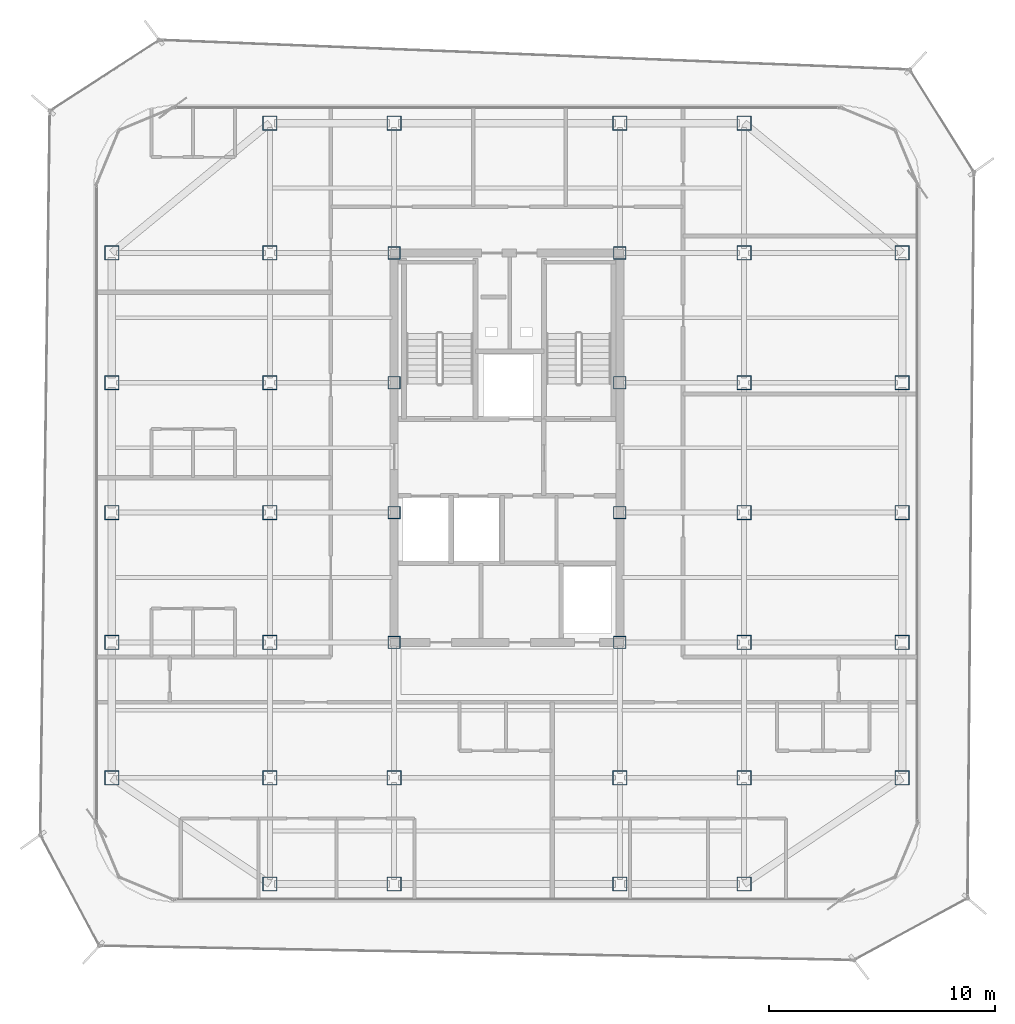
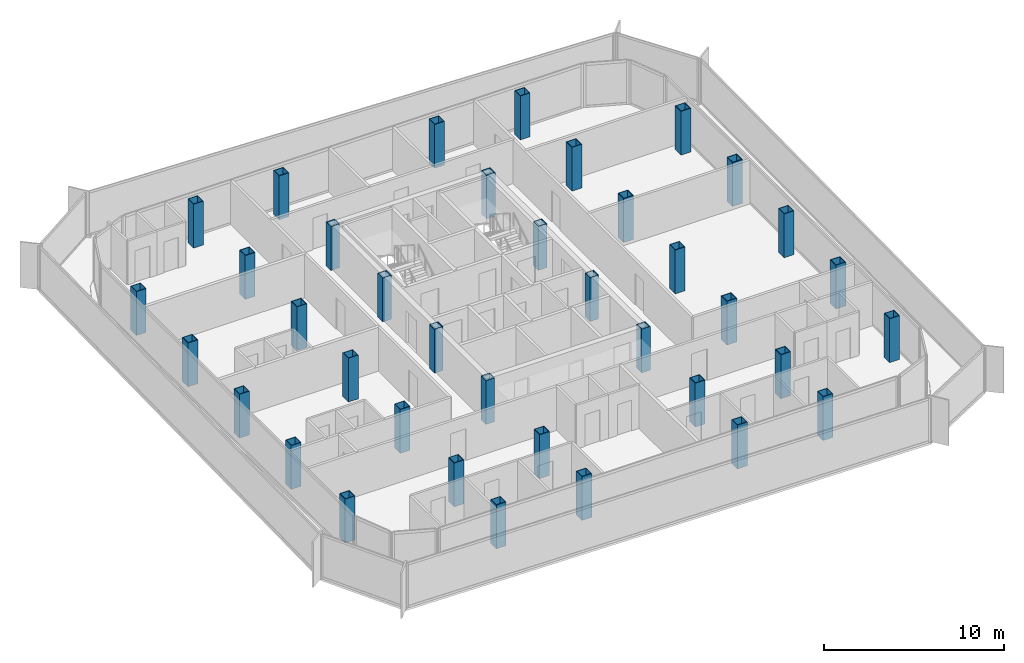
# One storey, part 1 of 15: 38 columns.
"""IFC4 building model written with IfcOpenShell, lengths in metres."""

from ifc_helpers import new_model, si_unit, direction, frame, origin, origin_2d, place, context, subcontext, project, spatial, hollow_rectangle, extrude, source, transform, mapped, material, material_profile, profile_set, type_object, element, save


model = new_model("IFC4")

# Units and contexts
model_context = context("Model", 3, precision=1e-05, world=origin(), true_north=direction((0.0, 1.0)))
body_context = subcontext(model_context, "Body", "Model", "MODEL_VIEW")
ifc_project = project(units=[si_unit("LENGTHUNIT", "METRE"), si_unit("AREAUNIT", "SQUARE_METRE"), si_unit("VOLUMEUNIT", "CUBIC_METRE"), si_unit("PLANEANGLEUNIT", "RADIAN"), si_unit("MASSUNIT", "GRAM", prefix="KILO")], contexts=[model_context])

# Site, building, storey
site_placement = place(None, origin())
site = spatial("IfcSite", under=ifc_project, at=site_placement, CompositionType="ELEMENT")
building_placement = place(site_placement, origin())
building = spatial("IfcBuilding", under=site, at=building_placement, Name="Kolveth Station Tower", CompositionType="ELEMENT")
storey_placement = place(building_placement, frame((0.0, 0.0, 261.699951171875)))
storey = spatial("IfcBuildingStorey", under=building, at=storey_placement, Name="L75", CompositionType="ELEMENT", Elevation=261.699951171875)

# Columns
ifc_material = material(Name="Steel S355", Category="steel")
ifc_material_profile_1 = material_profile(ifc_material, hollow_rectangle(XDim=0.639892578125, YDim=0.639892578125, WallThickness=0.034912109375, at=origin_2d()), Name="BOX640x640x35")
ifc_profile_set_1 = profile_set([ifc_material_profile_1], Name="Steel S355")
column_type_1 = type_object("IfcColumnType", Name="Col_C7", PredefinedType="COLUMN", material=ifc_profile_set_1)
shared_shape_1 = source(origin(), body_context, "Body", "SweptSolid", [
    extrude(hollow_rectangle(XDim=0.639892578125, YDim=0.639892578125, WallThickness=0.034912109375, at=origin_2d()), origin(), (0.0, 0.0, 1.0), 2.97998046875),
])
for number, where, z_axis, x_axis, name in (
    (1, (13.0, 0.800048828125, 0.0), (0.0, 0.0, 1.0), (1.0, 0.0, 0.0), "L75 Tower Column S-X130"),
    (2, (13.0, 34.5, 0.0), (0.0, 0.0, 1.0), (1.0, 0.0, 0.0), "L75 Tower Column N-X130"),
    (3, (18.5, 0.800048828125, 0.0), (0.0, 0.0, 1.0), (1.0, 0.0, 0.0), "L75 Tower Column S-X185"),
    (4, (18.5, 34.5, 0.0), (0.0, 0.0, 1.0), (1.0, 0.0, 0.0), "L75 Tower Column N-X185"),
    (5, (28.5, 0.800048828125, 0.0), (0.0, 0.0, 1.0), (1.0, 0.0, 0.0), "L75 Tower Column S-X285"),
    (6, (28.5, 34.5, 0.0), (0.0, 0.0, 1.0), (1.0, 0.0, 0.0), "L75 Tower Column N-X285"),
    (7, (34.0, 0.800048828125, 0.0), (0.0, 0.0, 1.0), (1.0, 0.0, 0.0), "L75 Tower Column S-X340"),
    (8, (34.0, 34.5, 0.0), (0.0, 0.0, 1.0), (1.0, 0.0, 0.0), "L75 Tower Column N-X340"),
    (9, (6.0, 5.5, 0.0), (0.0, 0.0, 1.0), (1.0, 0.0, 0.0), "L75 Tower Column W-Y55"),
    (10, (41.0, 5.5, 0.0), (0.0, 0.0, 1.0), (1.0, 0.0, 0.0), "L75 Tower Column E-Y55"),
    (11, (6.0, 11.5, 0.0), (0.0, 0.0, 1.0), (1.0, 0.0, 0.0), "L75 Tower Column W-Y115"),
    (12, (41.0, 11.5, 0.0), (0.0, 0.0, 1.0), (1.0, 0.0, 0.0), "L75 Tower Column E-Y115"),
    (13, (6.0, 17.25, 0.0), (0.0, 0.0, 1.0), (1.0, 0.0, 0.0), "L75 Tower Column W-Y172"),
    (14, (41.0, 17.25, 0.0), (0.0, 0.0, 1.0), (1.0, 0.0, 0.0), "L75 Tower Column E-Y172"),
    (15, (6.0, 23.0, 0.0), (0.0, 0.0, 1.0), (1.0, 0.0, 0.0), "L75 Tower Column W-Y230"),
    (16, (41.0, 23.0, 0.0), (0.0, 0.0, 1.0), (1.0, 0.0, 0.0), "L75 Tower Column E-Y230"),
    (17, (6.0, 28.75, 0.0), (0.0, 0.0, 1.0), (1.0, 0.0, 0.0), "L75 Tower Column W-Y287"),
    (18, (41.0, 28.75, 0.0), (0.0, 0.0, 1.0), (1.0, 0.0, 0.0), "L75 Tower Column E-Y287"),
    (19, (13.0, 5.5, 0.0), (0.0, 0.0, 1.0), (1.0, 0.0, 0.0), "L75 Tower Column G-130-55"),
    (20, (13.0, 11.5, 0.0), (0.0, 0.0, 1.0), (1.0, 0.0, 0.0), "L75 Tower Column G-130-115"),
    (21, (13.0, 17.25, 0.0), (0.0, 0.0, 1.0), (1.0, 0.0, 0.0), "L75 Tower Column G-130-172"),
    (22, (13.0, 23.0, 0.0), (0.0, 0.0, 1.0), (1.0, 0.0, 0.0), "L75 Tower Column G-130-230"),
    (23, (13.0, 28.75, 0.0), (0.0, 0.0, 1.0), (1.0, 0.0, 0.0), "L75 Tower Column G-130-287"),
    (24, (18.5, 5.5, 0.0), (0.0, 0.0, 1.0), (1.0, 0.0, 0.0), "L75 Tower Column G-185-55"),
    (25, (28.5, 5.5, 0.0), (0.0, 0.0, 1.0), (1.0, 0.0, 0.0), "L75 Tower Column G-285-55"),
    (26, (34.0, 5.5, 0.0), (0.0, 0.0, 1.0), (1.0, 0.0, 0.0), "L75 Tower Column G-340-55"),
    (27, (34.0, 11.5, 0.0), (0.0, 0.0, 1.0), (1.0, 0.0, 0.0), "L75 Tower Column G-340-115"),
    (28, (34.0, 17.25, 0.0), (0.0, 0.0, 1.0), (1.0, 0.0, 0.0), "L75 Tower Column G-340-172"),
    (29, (34.0, 23.0, 0.0), (0.0, 0.0, 1.0), (1.0, 0.0, 0.0), "L75 Tower Column G-340-230"),
    (30, (34.0, 28.75, 0.0), (0.0, 0.0, 1.0), (1.0, 0.0, 0.0), "L75 Tower Column G-340-287"),
):
    element("IfcColumn", number, at=place(storey_placement, frame(where, z_axis=z_axis, x_axis=x_axis)), inside=storey, type_object=column_type_1, Name=name, PredefinedType="COLUMN", context=body_context, shape_type="MappedRepresentation", body=[
        mapped(shared_shape_1, transform((0.0, 0.0, 0.0), x_axis=(1.0, 0.0, 0.0), y_axis=(0.0, 1.0, 0.0), z_axis=(0.0, 0.0, 1.0), scale=1.0)),
    ])
ifc_material_profile_2 = material_profile(ifc_material, hollow_rectangle(XDim=0.56005859375, YDim=0.56005859375, WallThickness=0.030029296875, at=origin_2d()), Name="BOX560x560x30")
ifc_profile_set_2 = profile_set([ifc_material_profile_2], Name="Steel S355")
column_type_2 = type_object("IfcColumnType", Name="Col_C8", PredefinedType="COLUMN", material=ifc_profile_set_2)
shared_shape_2 = source(origin(), body_context, "Body", "SweptSolid", [
    extrude(hollow_rectangle(XDim=0.56005859375, YDim=0.56005859375, WallThickness=0.030029296875, at=origin_2d()), origin(), (0.0, 0.0, 1.0), 2.97998046875),
])
for number, where, z_axis, x_axis, name in (
    (31, (18.5, 11.5, 0.0), (0.0, 0.0, 1.0), (1.0, 0.0, 0.0), "L75 Tower Column G-185-115"),
    (32, (18.5, 17.25, 0.0), (0.0, 0.0, 1.0), (1.0, 0.0, 0.0), "L75 Tower Column G-185-172"),
    (33, (18.5, 23.0, 0.0), (0.0, 0.0, 1.0), (1.0, 0.0, 0.0), "L75 Tower Column G-185-230"),
    (34, (18.5, 28.75, 0.0), (0.0, 0.0, 1.0), (1.0, 0.0, 0.0), "L75 Tower Column G-185-287"),
    (35, (28.5, 11.5, 0.0), (0.0, 0.0, 1.0), (1.0, 0.0, 0.0), "L75 Tower Column G-285-115"),
    (36, (28.5, 17.25, 0.0), (0.0, 0.0, 1.0), (1.0, 0.0, 0.0), "L75 Tower Column G-285-172"),
    (37, (28.5, 23.0, 0.0), (0.0, 0.0, 1.0), (1.0, 0.0, 0.0), "L75 Tower Column G-285-230"),
    (38, (28.5, 28.75, 0.0), (0.0, 0.0, 1.0), (1.0, 0.0, 0.0), "L75 Tower Column G-285-287"),
):
    element("IfcColumn", number, at=place(storey_placement, frame(where, z_axis=z_axis, x_axis=x_axis)), inside=storey, type_object=column_type_2, Name=name, PredefinedType="COLUMN", context=body_context, shape_type="MappedRepresentation", body=[
        mapped(shared_shape_2, transform((0.0, 0.0, 0.0), x_axis=(1.0, 0.0, 0.0), y_axis=(0.0, 1.0, 0.0), z_axis=(0.0, 0.0, 1.0), scale=1.0)),
    ])

save(model, "model.ifc")
